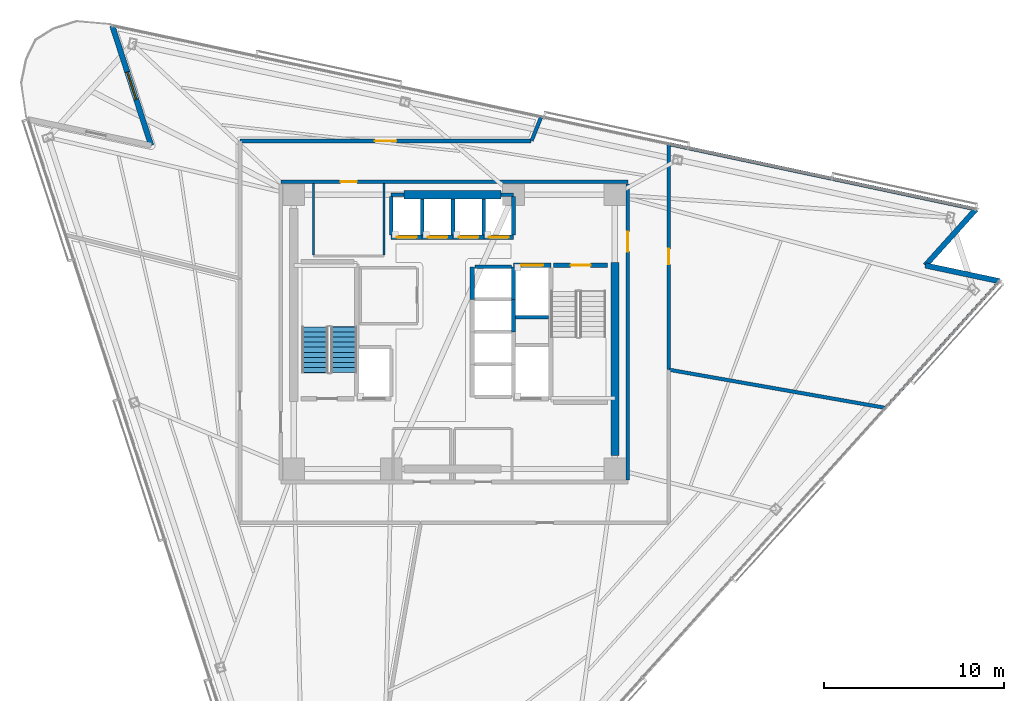
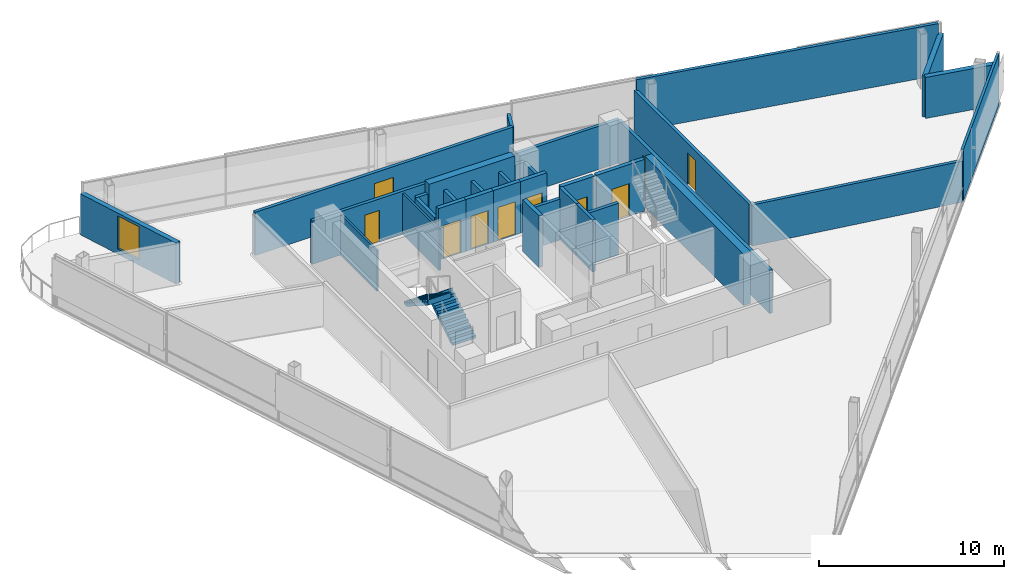
# One storey, part 11 of 16: 33 walls, 10 doors, 2 stair flights, 1 window, 11 openings, 1 element without a shape of its own.
"""IFC4 building model written with IfcOpenShell, lengths in metres."""

from ifc_helpers import new_model, si_unit, direction, frame, frame_2d, origin, place, context, subcontext, project, spatial, polyline, rectangle, outline, extrude, material, layer, layer_set, type_object, element, fill, aggregate, save


model = new_model("IFC4")

# Units and contexts
model_context = context("Model", 3, precision=1e-05, world=origin(), true_north=direction((0.0, 1.0)))
body_context = subcontext(model_context, "Body", "Model", "MODEL_VIEW")
ifc_project = project(units=[si_unit("LENGTHUNIT", "METRE"), si_unit("AREAUNIT", "SQUARE_METRE"), si_unit("VOLUMEUNIT", "CUBIC_METRE"), si_unit("PLANEANGLEUNIT", "RADIAN"), si_unit("MASSUNIT", "GRAM", prefix="KILO")], contexts=[model_context])

# Site, building, storey
site_placement = place(None, origin())
site = spatial("IfcSite", under=ifc_project, at=site_placement, CompositionType="ELEMENT")
building_placement = place(site_placement, origin())
building = spatial("IfcBuilding", under=site, at=building_placement, Name="Tharavind Bronze Gate", CompositionType="ELEMENT")
storey_placement = place(building_placement, frame((0.0, 0.0, 211.25)))
storey = spatial("IfcBuildingStorey", under=building, at=storey_placement, Name="L54", CompositionType="ELEMENT", Elevation=211.25)

# Wall, opening, window
ifc_material_1 = material(Name="Concrete C40/50", Category="concrete")
ifc_layer_1 = layer(ifc_material_1, 0.300048828125)
ifc_layer_set_1 = layer_set([ifc_layer_1], Name="Concrete C40/50")
wall_type_1 = type_object("IfcWallType", Name="EXTERIOR SPANDREL WALL 300", PredefinedType="STANDARD", material=ifc_layer_set_1)
wall_1_placement = place(storey_placement, frame((-18.959716796875, 16.967529296875, 0.0), z_axis=(0.0, 0.0, 1.0), x_axis=(0.309030708092, -0.951052060329, 0.0)))
wall_1 = element("IfcWall", 1, at=wall_1_placement, inside=storey, type_object=wall_type_1, Name="L54 notch cheek wall 1A", PredefinedType="STANDARD", context=body_context, shape_type="SweptSolid", body=[
    extrude(rectangle(XDim=6.979736328125, YDim=0.300048828125, at=frame_2d((3.48974609375, 0.0))), origin(), (0.0, 0.0, 1.0), 2.715087890625),
])
opening_1_placement = place(wall_1_placement, frame((2.68994140625, 0.0, 0.3349609375)))
opening_1 = element("IfcOpeningElement", 2, at=opening_1_placement, cuts=wall_1, Name="Opening W05", PredefinedType="OPENING", context=body_context, shape_type="SweptSolid", body=[
    extrude(rectangle(XDim=1.60009765625, YDim=2.199951171875, at=frame_2d((0.800048828125, 1.10009765625))), frame((0.0, 0.15990234375, 0.0), z_axis=(0.0, -1.0, 0.0), x_axis=(1.0, 0.0, 0.0)), (0.0, 0.0, 1.0), 0.320048828125),
])
ifc_material_2 = material(Name="Bronze Aluminium & Low-E Glass", Category="aluminium")
window_type = type_object("IfcWindowType", Name="OFFICE NOTCH BRONZE WINDOW 1600X2200", PartitioningType="DOUBLE_PANEL_VERTICAL", PredefinedType="WINDOW", material=ifc_material_2)
window_placement = place(opening_1_placement, origin())
window = element("IfcWindow", 3, at=window_placement, inside=storey, type_object=window_type, Name="L54 exterior window WL-L54-NCA1-01", OverallHeight=2.199951171875, OverallWidth=1.60009765625, PartitioningType="SINGLE_PANEL", PredefinedType="WINDOW", context=body_context, shape_type="SweptSolid", body=[
    extrude(rectangle(XDim=1.60009765625, YDim=2.199951171875, at=frame_2d((0.800048828125, 1.10009765625))), frame((0.0, 0.030029296875, 0.0), z_axis=(0.0, -1.0, 0.0), x_axis=(1.0, 0.0, 0.0)), (0.0, 0.0, 1.0), 0.06005859375),
])
fill(opening_1, window)

# Walls
for number, where, z_axis, x_axis, name in (
    (4, (30.199462890625, 2.810546875, 0.0), (0.0, 0.0, 1.0), (-0.978144033538, 0.207928472445, 0.0), "L54 notch cheek wall 3A"),
    (5, (26.102783203125, 3.681396484375, 0.0), (0.0, 0.0, 1.0), (0.669151507466, 0.743126005504, 0.0), "L54 notch cheek wall 3B"),
):
    element("IfcWall", number, at=place(storey_placement, frame(where, z_axis=z_axis, x_axis=x_axis)), inside=storey, type_object=wall_type_1, Name=name, PredefinedType="STANDARD", context=body_context, shape_type="SweptSolid", body=[
        extrude(rectangle(XDim=4.188232421875, YDim=0.300048828125, at=frame_2d((2.09423828125, 0.0))), origin(), (0.0, 0.0, 1.0), 2.715087890625),
    ])

# Wall, opening, door
ifc_material_3 = material(Name="Aerated Concrete Block", Category="concrete")
ifc_layer_2 = layer(ifc_material_3, 0.199951171875)
ifc_layer_set_2 = layer_set([ifc_layer_2], Name="Aerated Concrete Block")
wall_type_2 = type_object("IfcWallType", Name="FIRE RATED PARTITION 200", PredefinedType="PARTITIONING", material=ifc_layer_set_2)
wall_2_placement = place(storey_placement, frame((9.6201171875, 8.320068359375, 0.0), z_axis=(0.0, 0.0, 1.0), x_axis=(-1.0, 0.0, 0.0)))
wall_2 = element("IfcWall", 6, at=wall_2_placement, inside=storey, type_object=wall_type_2, Name="L54 north core corridor wall", PredefinedType="PARTITIONING", context=body_context, shape_type="SweptSolid", body=[
    extrude(rectangle(XDim=19.240234375, YDim=0.199951171875, at=frame_2d((9.6201171875, 0.0))), origin(), (0.0, 0.0, 1.0), 2.864990234375),
])
opening_2_placement = place(wall_2_placement, frame((15.02001953125, 0.0, 0.0)))
opening_2 = element("IfcOpeningElement", 7, at=opening_2_placement, cuts=wall_2, Name="Opening ID07", PredefinedType="OPENING", context=body_context, shape_type="SweptSolid", body=[
    extrude(rectangle(XDim=0.89990234375, YDim=2.10009765625, at=frame_2d((0.449951171875, 1.050048828125))), frame((0.0, 0.11009765625, 0.0), z_axis=(0.0, -1.0, 0.0), x_axis=(1.0, 0.0, 0.0)), (0.0, 0.0, 1.0), 0.219951171875),
])
ifc_material_4 = material(Name="Galvanised Fire Steel", Category="steel")
door_type_1 = type_object("IfcDoorType", Name="PLANT AND RISER FIRE DOOR 900X2100", OperationType="SINGLE_SWING_LEFT", PredefinedType="DOOR", material=ifc_material_4)
door_1_placement = place(opening_2_placement, frame((0.89990234375, 0.0, 0.0), z_axis=(0.0, 0.0, 1.0), x_axis=(-1.0, 0.0, 0.0)))
door_1 = element("IfcDoor", 8, at=door_1_placement, inside=storey, type_object=door_type_1, Name="L54 Electrical Switch Room fire door", OperationType="SINGLE_SWING_LEFT", OverallHeight=2.10009765625, OverallWidth=0.89990234375, PredefinedType="DOOR", context=body_context, shape_type="SweptSolid", body=[
    extrude(rectangle(XDim=0.89990234375, YDim=2.10009765625, at=frame_2d((0.449951171875, 1.050048828125))), frame((0.0, 0.02490234375, 0.0), z_axis=(0.0, -1.0, 0.0), x_axis=(1.0, 0.0, 0.0)), (0.0, 0.0, 1.0), 0.050048828125),
])
fill(opening_2, door_1)

wall_3_placement = place(storey_placement, frame((9.6201171875, -8.199951171875, 0.0), z_axis=(0.0, 0.0, 1.0), x_axis=(0.0, 1.0, 0.0)))
wall_3 = element("IfcWall", 9, at=wall_3_placement, inside=storey, type_object=wall_type_2, Name="L54 east core corridor wall", PredefinedType="PARTITIONING", context=body_context, shape_type="SweptSolid", body=[
    extrude(rectangle(XDim=16.39990234375, YDim=0.199951171875, at=frame_2d((8.199951171875, 0.0))), origin(), (0.0, 0.0, 1.0), 2.864990234375),
])
opening_3_placement = place(wall_3_placement, frame((12.64990234375, 0.0, 0.0)))
opening_3 = element("IfcOpeningElement", 10, at=opening_3_placement, cuts=wall_3, Name="Opening ID01", PredefinedType="OPENING", context=body_context, shape_type="SweptSolid", body=[
    extrude(rectangle(XDim=1.10009765625, YDim=2.14990234375, at=frame_2d((0.550048828125, 1.074951171875))), frame((0.0, 0.11009765625, 0.0), z_axis=(0.0, -1.0, 0.0), x_axis=(1.0, 0.0, 0.0)), (0.0, 0.0, 1.0), 0.219951171875),
])
ifc_material_5 = material(Name="Fire-Rated Steel", Category="steel")
door_type_2 = type_object("IfcDoorType", Name="STAIR CORE FIRE DOOR 1100X2150", OperationType="SINGLE_SWING_LEFT", PredefinedType="DOOR", material=ifc_material_5)
door_2_placement = place(opening_3_placement, frame((1.10009765625, 0.0, 0.0), z_axis=(0.0, 0.0, 1.0), x_axis=(-1.0, 0.0, 0.0)))
door_2 = element("IfcDoor", 11, at=door_2_placement, inside=storey, type_object=door_type_2, Name="L54 north east stair lobby fire door", OperationType="SINGLE_SWING_LEFT", OverallHeight=2.14990234375, OverallWidth=1.10009765625, PredefinedType="DOOR", context=body_context, shape_type="SweptSolid", body=[
    extrude(rectangle(XDim=1.10009765625, YDim=2.14990234375, at=frame_2d((0.550048828125, 1.074951171875))), frame((0.0, 0.02490234375, 0.0), z_axis=(0.0, -1.0, 0.0), x_axis=(1.0, 0.0, 0.0)), (0.0, 0.0, 1.0), 0.050048828125),
])
fill(opening_3, door_2)

# Walls
wall_4_placement = place(storey_placement, frame((11.90771484375, 10.406494140625, 0.0), z_axis=(0.0, 0.0, 1.0), x_axis=(0.978147593012, -0.207911727146, 0.0)))
element("IfcWall", 12, at=wall_4_placement, inside=storey, type_object=wall_type_2, Name="L54 Public Restrooms Block partition", PredefinedType="PARTITIONING", context=body_context, shape_type="SweptSolid", body=[
    extrude(rectangle(XDim=17.197998046875, YDim=0.199951171875, at=frame_2d((8.59912109375, 0.0))), origin(), (0.0, 0.0, 1.0), 3.419921875),
])
wall_5_placement = place(storey_placement, frame((23.864013671875, -4.2080078125, 0.0), z_axis=(0.0, 0.0, 1.0), x_axis=(-0.984805603915, 0.173660365361, 0.0)))
element("IfcWall", 13, at=wall_5_placement, inside=storey, type_object=wall_type_2, Name="L54 Public Restrooms Block partition", PredefinedType="PARTITIONING", context=body_context, shape_type="SweptSolid", body=[
    extrude(rectangle(XDim=12.14794921875, YDim=0.199951171875, at=frame_2d((6.073974609375, 0.0))), origin(), (0.0, 0.0, 1.0), 2.715087890625),
])

# Wall, opening, door
wall_6_placement = place(storey_placement, frame((11.8798828125, -2.07373046875, 0.0), z_axis=(0.0, 0.0, 1.0), x_axis=(0.0, 1.0, 0.0)))
wall_6 = element("IfcWall", 14, at=wall_6_placement, inside=storey, type_object=wall_type_2, Name="L54 Public Restrooms Block partition", PredefinedType="PARTITIONING", context=body_context, shape_type="SweptSolid", body=[
    extrude(rectangle(XDim=12.486083984375, YDim=0.199951171875, at=frame_2d((6.2431640625, 0.0))), origin(), (0.0, 0.0, 1.0), 2.715087890625),
])
opening_4_placement = place(wall_6_placement, frame((5.818115234375, 0.0, 0.0)))
opening_4 = element("IfcOpeningElement", 15, at=opening_4_placement, cuts=wall_6, Name="Opening ID06", PredefinedType="OPENING", context=body_context, shape_type="SweptSolid", body=[
    extrude(rectangle(XDim=0.85009765625, YDim=2.10009765625, at=frame_2d((0.425048828125, 1.050048828125))), frame((0.0, 0.11009765625, 0.0), z_axis=(0.0, -1.0, 0.0), x_axis=(1.0, 0.0, 0.0)), (0.0, 0.0, 1.0), 0.219951171875),
])
ifc_material_6 = material(Name="Moisture-Resistant Timber", Category="wood")
door_type_3 = type_object("IfcDoorType", Name="BATHROOM PRIVACY DOOR 850X2100", OperationType="SINGLE_SWING_RIGHT", PredefinedType="DOOR", material=ifc_material_6)
door_3_placement = place(opening_4_placement, origin())
door_3 = element("IfcDoor", 16, at=door_3_placement, inside=storey, type_object=door_type_3, Name="L54 Public Restrooms Block door", OperationType="SINGLE_SWING_RIGHT", OverallHeight=2.10009765625, OverallWidth=0.85009765625, PredefinedType="DOOR", context=body_context, shape_type="SweptSolid", body=[
    extrude(rectangle(XDim=0.85009765625, YDim=2.10009765625, at=frame_2d((0.425048828125, 1.050048828125))), frame((0.0, 0.02490234375, 0.0), z_axis=(0.0, -1.0, 0.0), x_axis=(1.0, 0.0, 0.0)), (0.0, 0.0, 1.0), 0.050048828125),
])
fill(opening_4, door_3)

# Wall
wall_7_placement = place(storey_placement, frame((4.802490234375, 11.88671875, 0.0), z_axis=(0.0, 0.0, 1.0), x_axis=(-0.374532628214, -0.927213735016, 0.0)))
element("IfcWall", 17, at=wall_7_placement, inside=storey, type_object=wall_type_2, Name="L54 Corporate Town-Hall Forum partition", PredefinedType="PARTITIONING", context=body_context, shape_type="SweptSolid", body=[
    extrude(rectangle(XDim=1.392333984375, YDim=0.199951171875, at=frame_2d((0.6962890625, 0.0))), origin(), (0.0, 0.0, 1.0), 2.715087890625),
])

# Wall, opening, door
wall_8_placement = place(storey_placement, frame((4.2578125, 10.580078125, 0.0), z_axis=(0.0, 0.0, 1.0), x_axis=(-1.0, 0.0, 0.0)))
wall_8 = element("IfcWall", 18, at=wall_8_placement, inside=storey, type_object=wall_type_2, Name="L54 Corporate Town-Hall Forum partition", PredefinedType="PARTITIONING", context=body_context, shape_type="SweptSolid", body=[
    extrude(rectangle(XDim=16.13720703125, YDim=0.199951171875, at=frame_2d((8.068603515625, 0.0))), origin(), (0.0, 0.0, 1.0), 2.864990234375),
])
opening_5_placement = place(wall_8_placement, frame((7.468994140625, 0.0, 0.0)))
opening_5 = element("IfcOpeningElement", 19, at=opening_5_placement, cuts=wall_8, Name="Opening ID05", PredefinedType="OPENING", context=body_context, shape_type="SweptSolid", body=[
    extrude(rectangle(XDim=1.199951171875, YDim=2.14990234375, at=frame_2d((0.60009765625, 1.074951171875))), frame((0.0, 0.11009765625, 0.0), z_axis=(0.0, -1.0, 0.0), x_axis=(1.0, 0.0, 0.0)), (0.0, 0.0, 1.0), 0.219951171875),
])
ifc_material_7 = material(Name="Acoustic Laminated Glass", Category="glass")
door_type_4 = type_object("IfcDoorType", Name="MEETING ROOM GLAZED DOOR 1200X2150", OperationType="SINGLE_SWING_LEFT", PredefinedType="DOOR", material=ifc_material_7)
door_4_placement = place(opening_5_placement, origin())
door_4 = element("IfcDoor", 20, at=door_4_placement, inside=storey, type_object=door_type_4, Name="L54 Corporate Town-Hall Forum door", OperationType="SINGLE_SWING_LEFT", OverallHeight=2.14990234375, OverallWidth=1.199951171875, PredefinedType="DOOR", context=body_context, shape_type="SweptSolid", body=[
    extrude(rectangle(XDim=1.199951171875, YDim=2.14990234375, at=frame_2d((0.60009765625, 1.074951171875))), frame((0.0, 0.02490234375, 0.0), z_axis=(0.0, -1.0, 0.0), x_axis=(1.0, 0.0, 0.0)), (0.0, 0.0, 1.0), 0.050048828125),
])
fill(opening_5, door_4)

# Walls
ifc_material_8 = material(Name="Metal Stud Gypsum Partition", Category="gypsum")
ifc_layer_3 = layer(ifc_material_8, 0.1201171875)
ifc_layer_set_3 = layer_set([ifc_layer_3], Name="Metal Stud Gypsum Partition")
wall_type_3 = type_object("IfcWallType", Name="INTERIOR PARTITION WALL 120", PredefinedType="PARTITIONING", material=ifc_layer_set_3)
for number, where, z_axis, x_axis, name in (
    (21, (-3.89990234375, 4.264892578125, 0.0), (0.0, 0.0, 1.0), (0.0, 1.0, 0.0), "L54 Electrical Switch Room partition 2"),
    (22, (-7.800048828125, 8.215087890625, 0.0), (0.0, 0.0, 1.0), (0.0, -1.0, 0.0), "L54 Electrical Switch Room partition 4"),
):
    element("IfcWall", number, at=place(storey_placement, frame(where, z_axis=z_axis, x_axis=x_axis)), inside=storey, type_object=wall_type_3, Name=name, PredefinedType="PARTITIONING", context=body_context, shape_type="SweptSolid", body=[
        extrude(rectangle(XDim=3.9501953125, YDim=0.1201171875, at=frame_2d((1.97509765625, 0.0))), origin(), (0.0, 0.0, 1.0), 2.715087890625),
    ])
ifc_material_9 = material(Name="Twin Stud Acoustic Gypsum", Category="gypsum")
ifc_layer_4 = layer(ifc_material_9, 0.14990234375)
ifc_layer_set_4 = layer_set([ifc_layer_4], Name="Twin Stud Acoustic Gypsum")
wall_type_4 = type_object("IfcWallType", Name="INTERIOR PARTITION WALL 150", PredefinedType="PARTITIONING", material=ifc_layer_set_4)
wall_9_placement = place(storey_placement, frame((30.07958984375, 2.677490234375, 0.0), z_axis=(0.0, 0.0, 1.0), x_axis=(-0.669139610983, -0.743136717579, 0.0)))
element("IfcWall", 23, at=wall_9_placement, inside=storey, type_object=wall_type_4, Name="L54 Public Restrooms Block partition", PredefinedType="PARTITIONING", context=body_context, shape_type="SweptSolid", body=[
    extrude(rectangle(XDim=9.254638671875, YDim=0.14990234375, at=frame_2d((4.62744140625, 0.0))), origin(), (0.0, 0.0, 1.0), 3.419921875),
])

# Wall, opening, door
ifc_material_10 = material(Name="Concrete C50/60", Category="concrete")
ifc_layer_5 = layer(ifc_material_10, 0.25)
ifc_layer_set_5 = layer_set([ifc_layer_5], Name="Concrete C50/60")
wall_type_5 = type_object("IfcWallType", Name="RC CORE SHEAR WALL 250", PredefinedType="SHEAR", material=ifc_layer_set_5)
wall_10_placement = place(storey_placement, frame((5.5, 3.699951171875, 0.0), z_axis=(0.0, 0.0, 1.0), x_axis=(1.0, 0.0, 0.0)))
wall_10 = element("IfcWall", 24, at=wall_10_placement, inside=storey, type_object=wall_type_5, Name="L54 ST2 shaft north wall", PredefinedType="SHEAR", context=body_context, shape_type="SweptSolid", body=[
    extrude(rectangle(XDim=3.0, YDim=0.25, at=frame_2d((1.5, 0.0))), origin(), (0.0, 0.0, 1.0), 3.419921875),
])
opening_6_placement = place(wall_10_placement, frame((0.949951171875, 0.0, 0.0)))
opening_6 = element("IfcOpeningElement", 25, at=opening_6_placement, cuts=wall_10, Name="Opening ID01", PredefinedType="OPENING", context=body_context, shape_type="SweptSolid", body=[
    extrude(rectangle(XDim=1.10009765625, YDim=2.14990234375, at=frame_2d((0.550048828125, 1.074951171875))), frame((0.0, 0.135, 0.0), z_axis=(0.0, -1.0, 0.0), x_axis=(1.0, 0.0, 0.0)), (0.0, 0.0, 1.0), 0.27),
])
door_5_placement = place(opening_6_placement, frame((1.10009765625, 0.0, 0.0), z_axis=(0.0, 0.0, 1.0), x_axis=(-1.0, 0.0, 0.0)))
door_5 = element("IfcDoor", 26, at=door_5_placement, inside=storey, type_object=door_type_2, Name="L54 exit stair ST2 fire door", OperationType="SINGLE_SWING_LEFT", OverallHeight=2.14990234375, OverallWidth=1.10009765625, PredefinedType="DOOR", context=body_context, shape_type="SweptSolid", body=[
    extrude(rectangle(XDim=1.10009765625, YDim=2.14990234375, at=frame_2d((0.550048828125, 1.074951171875))), frame((0.0, 0.02490234375, 0.0), z_axis=(0.0, -1.0, 0.0), x_axis=(1.0, 0.0, 0.0)), (0.0, 0.0, 1.0), 0.050048828125),
])
fill(opening_6, door_5)

wall_11_placement = place(storey_placement, frame((-3.5, 5.25, 0.0), z_axis=(0.0, 0.0, 1.0), x_axis=(1.0, 0.0, 0.0)))
wall_11 = element("IfcWall", 27, at=wall_11_placement, inside=storey, type_object=wall_type_5, Name="L54 lift PL5 shaft front wall", PredefinedType="SHEAR", context=body_context, shape_type="SweptSolid", body=[
    extrude(rectangle(XDim=1.71240234375, YDim=0.25, at=frame_2d((0.856201171875, 0.0))), origin(), (0.0, 0.0, 1.0), 3.419921875),
])
opening_7_placement = place(wall_11_placement, frame((0.305908203125, 0.0, 0.0)))
opening_7 = element("IfcOpeningElement", 28, at=opening_7_placement, cuts=wall_11, Name="Opening LD01", PredefinedType="OPENING", context=body_context, shape_type="SweptSolid", body=[
    extrude(rectangle(XDim=1.10009765625, YDim=2.199951171875, at=frame_2d((0.550048828125, 1.10009765625))), frame((0.0, 0.135, 0.0), z_axis=(0.0, -1.0, 0.0), x_axis=(1.0, 0.0, 0.0)), (0.0, 0.0, 1.0), 0.27),
])
ifc_material_11 = material(Name="Brushed Bronze Stainless Steel", Category="steel")
door_type_5 = type_object("IfcDoorType", Name="LIFT LANDING SLIDING DOOR 1100X2200", OperationType="SLIDING_TO_LEFT", PredefinedType="DOOR", material=ifc_material_11)
door_6_placement = place(opening_7_placement, origin())
door_6 = element("IfcDoor", 29, at=door_6_placement, inside=storey, type_object=door_type_5, Name="L54 lift PL5 sliding landing door", OperationType="SLIDING_TO_LEFT", OverallHeight=2.199951171875, OverallWidth=1.10009765625, PredefinedType="DOOR", context=body_context, shape_type="SweptSolid", body=[
    extrude(rectangle(XDim=1.10009765625, YDim=2.199951171875, at=frame_2d((0.550048828125, 1.10009765625))), frame((0.0, 0.02490234375, 0.0), z_axis=(0.0, -1.0, 0.0), x_axis=(1.0, 0.0, 0.0)), (0.0, 0.0, 1.0), 0.050048828125),
])
fill(opening_7, door_6)

wall_12_placement = place(storey_placement, frame((-1.78759765625, 5.25, 0.0), z_axis=(0.0, 0.0, 1.0), x_axis=(1.0, 0.0, 0.0)))
wall_12 = element("IfcWall", 30, at=wall_12_placement, inside=storey, type_object=wall_type_5, Name="L54 lift PL6 shaft front wall", PredefinedType="SHEAR", context=body_context, shape_type="SweptSolid", body=[
    extrude(rectangle(XDim=1.712646484375, YDim=0.25, at=frame_2d((0.8564453125, 0.0))), origin(), (0.0, 0.0, 1.0), 3.419921875),
])
opening_8_placement = place(wall_12_placement, frame((0.305908203125, 0.0, 0.0)))
opening_8 = element("IfcOpeningElement", 31, at=opening_8_placement, cuts=wall_12, Name="Opening LD01", PredefinedType="OPENING", context=body_context, shape_type="SweptSolid", body=[
    extrude(rectangle(XDim=1.10009765625, YDim=2.199951171875, at=frame_2d((0.550048828125, 1.10009765625))), frame((0.0, 0.135, 0.0), z_axis=(0.0, -1.0, 0.0), x_axis=(1.0, 0.0, 0.0)), (0.0, 0.0, 1.0), 0.27),
])
door_7_placement = place(opening_8_placement, origin())
door_7 = element("IfcDoor", 32, at=door_7_placement, inside=storey, type_object=door_type_5, Name="L54 lift PL6 sliding landing door", OperationType="SLIDING_TO_LEFT", OverallHeight=2.199951171875, OverallWidth=1.10009765625, PredefinedType="DOOR", context=body_context, shape_type="SweptSolid", body=[
    extrude(rectangle(XDim=1.10009765625, YDim=2.199951171875, at=frame_2d((0.550048828125, 1.10009765625))), frame((0.0, 0.02490234375, 0.0), z_axis=(0.0, -1.0, 0.0), x_axis=(1.0, 0.0, 0.0)), (0.0, 0.0, 1.0), 0.050048828125),
])
fill(opening_8, door_7)

wall_13_placement = place(storey_placement, frame((-0.074951171875, 5.25, 0.0), z_axis=(0.0, 0.0, 1.0), x_axis=(1.0, 0.0, 0.0)))
wall_13 = element("IfcWall", 33, at=wall_13_placement, inside=storey, type_object=wall_type_5, Name="L54 lift PL7 shaft front wall", PredefinedType="SHEAR", context=body_context, shape_type="SweptSolid", body=[
    extrude(rectangle(XDim=1.71240234375, YDim=0.25, at=frame_2d((0.856201171875, 0.0))), origin(), (0.0, 0.0, 1.0), 3.419921875),
])
opening_9_placement = place(wall_13_placement, frame((0.305908203125, 0.0, 0.0)))
opening_9 = element("IfcOpeningElement", 34, at=opening_9_placement, cuts=wall_13, Name="Opening LD01", PredefinedType="OPENING", context=body_context, shape_type="SweptSolid", body=[
    extrude(rectangle(XDim=1.10009765625, YDim=2.199951171875, at=frame_2d((0.550048828125, 1.10009765625))), frame((0.0, 0.135, 0.0), z_axis=(0.0, -1.0, 0.0), x_axis=(1.0, 0.0, 0.0)), (0.0, 0.0, 1.0), 0.27),
])
door_8_placement = place(opening_9_placement, origin())
door_8 = element("IfcDoor", 35, at=door_8_placement, inside=storey, type_object=door_type_5, Name="L54 lift PL7 sliding landing door", OperationType="SLIDING_TO_LEFT", OverallHeight=2.199951171875, OverallWidth=1.10009765625, PredefinedType="DOOR", context=body_context, shape_type="SweptSolid", body=[
    extrude(rectangle(XDim=1.10009765625, YDim=2.199951171875, at=frame_2d((0.550048828125, 1.10009765625))), frame((0.0, 0.02490234375, 0.0), z_axis=(0.0, -1.0, 0.0), x_axis=(1.0, 0.0, 0.0)), (0.0, 0.0, 1.0), 0.050048828125),
])
fill(opening_9, door_8)

wall_14_placement = place(storey_placement, frame((1.637451171875, 5.25, 0.0), z_axis=(0.0, 0.0, 1.0), x_axis=(1.0, 0.0, 0.0)))
wall_14 = element("IfcWall", 36, at=wall_14_placement, inside=storey, type_object=wall_type_5, Name="L54 lift PL8 shaft front wall", PredefinedType="SHEAR", context=body_context, shape_type="SweptSolid", body=[
    extrude(rectangle(XDim=1.642578125, YDim=0.25, at=frame_2d((0.8212890625, 0.0))), origin(), (0.0, 0.0, 1.0), 3.419921875),
])
opening_10_placement = place(wall_14_placement, frame((0.27099609375, 0.0, 0.0)))
opening_10 = element("IfcOpeningElement", 37, at=opening_10_placement, cuts=wall_14, Name="Opening LD01", PredefinedType="OPENING", context=body_context, shape_type="SweptSolid", body=[
    extrude(rectangle(XDim=1.10009765625, YDim=2.199951171875, at=frame_2d((0.550048828125, 1.10009765625))), frame((0.0, 0.135, 0.0), z_axis=(0.0, -1.0, 0.0), x_axis=(1.0, 0.0, 0.0)), (0.0, 0.0, 1.0), 0.27),
])
door_9_placement = place(opening_10_placement, origin())
door_9 = element("IfcDoor", 38, at=door_9_placement, inside=storey, type_object=door_type_5, Name="L54 lift PL8 sliding landing door", OperationType="SLIDING_TO_LEFT", OverallHeight=2.199951171875, OverallWidth=1.10009765625, PredefinedType="DOOR", context=body_context, shape_type="SweptSolid", body=[
    extrude(rectangle(XDim=1.10009765625, YDim=2.199951171875, at=frame_2d((0.550048828125, 1.10009765625))), frame((0.0, 0.02490234375, 0.0), z_axis=(0.0, -1.0, 0.0), x_axis=(1.0, 0.0, 0.0)), (0.0, 0.0, 1.0), 0.050048828125),
])
fill(opening_10, door_9)

# Wall
wall_15_placement = place(storey_placement, frame((1.0, 1.800048828125, 0.0), z_axis=(0.0, 0.0, 1.0), x_axis=(0.0, 1.0, 0.0)))
element("IfcWall", 39, at=wall_15_placement, inside=storey, type_object=wall_type_5, Name="L54 lift PL12 shaft front wall", PredefinedType="SHEAR", context=body_context, shape_type="SweptSolid", body=[
    extrude(rectangle(XDim=1.800048828125, YDim=0.25, at=frame_2d((0.89990234375, 0.0))), origin(), (0.0, 0.0, 1.0), 3.419921875),
])

# Wall, opening, door
wall_16_placement = place(storey_placement, frame((3.280029296875, 3.699951171875, 0.0), z_axis=(0.0, 0.0, 1.0), x_axis=(1.0, 0.0, 0.0)))
wall_16 = element("IfcWall", 40, at=wall_16_placement, inside=storey, type_object=wall_type_5, Name="L54 lift FFL2 shaft front wall", PredefinedType="SHEAR", context=body_context, shape_type="SweptSolid", body=[
    extrude(rectangle(XDim=2.070068359375, YDim=0.25, at=frame_2d((1.03515625, 0.0))), origin(), (0.0, 0.0, 1.0), 3.419921875),
])
opening_11_placement = place(wall_16_placement, frame((0.43505859375, 0.0, 0.0)))
opening_11 = element("IfcOpeningElement", 41, at=opening_11_placement, cuts=wall_16, Name="Opening LD02", PredefinedType="OPENING", context=body_context, shape_type="SweptSolid", body=[
    extrude(rectangle(XDim=1.199951171875, YDim=2.199951171875, at=frame_2d((0.60009765625, 1.10009765625))), frame((0.0, 0.135, 0.0), z_axis=(0.0, -1.0, 0.0), x_axis=(1.0, 0.0, 0.0)), (0.0, 0.0, 1.0), 0.27),
])
ifc_material_12 = material(Name="Brushed Stainless Steel", Category="steel")
door_type_6 = type_object("IfcDoorType", Name="FIREFIGHTING LIFT LANDING DOOR 1200X2200", OperationType="SLIDING_TO_RIGHT", PredefinedType="DOOR", material=ifc_material_12)
door_10_placement = place(opening_11_placement, origin())
door_10 = element("IfcDoor", 42, at=door_10_placement, inside=storey, type_object=door_type_6, Name="L54 lift FFL2 sliding landing door", OperationType="SLIDING_TO_RIGHT", OverallHeight=2.199951171875, OverallWidth=1.199951171875, PredefinedType="DOOR", context=body_context, shape_type="SweptSolid", body=[
    extrude(rectangle(XDim=1.199951171875, YDim=2.199951171875, at=frame_2d((0.60009765625, 1.10009765625))), frame((0.0, 0.02490234375, 0.0), z_axis=(0.0, -1.0, 0.0), x_axis=(1.0, 0.0, 0.0)), (0.0, 0.0, 1.0), 0.050048828125),
])
fill(opening_11, door_10)

# Walls
ifc_material_13 = material(Name="Concrete C60/75", Category="concrete")
ifc_layer_6 = layer(ifc_material_13, 0.449951171875)
ifc_layer_set_6 = layer_set([ifc_layer_6], Name="Concrete C60/75")
wall_type_6 = type_object("IfcWallType", Name="RC CORE SHEAR WALL 450", PredefinedType="SHEAR", material=ifc_layer_set_6)
wall_17_placement = place(storey_placement, frame((-2.800048828125, 7.60009765625, 0.0), z_axis=(0.0, 0.0, 1.0), x_axis=(1.0, 0.0, 0.0)))
element("IfcWall", 43, at=wall_17_placement, inside=storey, type_object=wall_type_6, Name="L54 north core shear wall", PredefinedType="SHEAR", context=body_context, shape_type="SweptSolid", body=[
    extrude(rectangle(XDim=5.380126953125, YDim=0.449951171875, at=frame_2d((2.68994140625, 0.0))), origin(), (0.0, 0.0, 1.0), 3.419921875),
])
wall_18_placement = place(storey_placement, frame((8.89990234375, -6.85009765625, 0.0), z_axis=(0.0, 0.0, 1.0), x_axis=(0.0, 1.0, 0.0)))
element("IfcWall", 44, at=wall_18_placement, inside=storey, type_object=wall_type_6, Name="L54 east core shear wall", PredefinedType="SHEAR", context=body_context, shape_type="SweptSolid", body=[
    extrude(rectangle(XDim=10.7001953125, YDim=0.449951171875, at=frame_2d((5.35009765625, 0.0))), origin(), (0.0, 0.0, 1.0), 3.419921875),
])
ifc_layer_7 = layer(ifc_material_1, 0.199951171875)
ifc_layer_set_7 = layer_set([ifc_layer_7], Name="Concrete C40/50")
wall_type_7 = type_object("IfcWallType", Name="SHAFT ENCLOSURE WALL 200", PredefinedType="PARTITIONING", material=ifc_layer_set_7)
wall_19_placement = place(storey_placement, frame((-3.5, 7.60009765625, 0.0), z_axis=(0.0, 0.0, 1.0), x_axis=(1.0, 0.0, 0.0)))
element("IfcWall", 45, at=wall_19_placement, inside=storey, type_object=wall_type_7, Name="L54 lift PL5 shaft N enclosure wall", PredefinedType="PARTITIONING", context=body_context, shape_type="SweptSolid", body=[
    extrude(rectangle(XDim=0.699951171875, YDim=0.199951171875, at=frame_2d((0.35009765625, 0.0))), origin(), (0.0, 0.0, 1.0), 2.715087890625),
])
wall_20_placement = place(storey_placement, frame((-3.5, 5.3798828125, 0.0), z_axis=(0.0, 0.0, 1.0), x_axis=(0.0, 1.0, 0.0)))
element("IfcWall", 46, at=wall_20_placement, inside=storey, type_object=wall_type_7, Name="L54 lift PL5 shaft W enclosure wall", PredefinedType="PARTITIONING", context=body_context, shape_type="SweptSolid", body=[
    extrude(rectangle(XDim=2.115234375, YDim=0.199951171875, at=frame_2d((1.0576171875, 0.0))), origin(), (0.0, 0.0, 1.0), 2.715087890625),
])
for number, where, z_axis, x_axis, name in (
    (47, (-1.78759765625, 5.3798828125, 0.0), (0.0, 0.0, 1.0), (0.0, 1.0, 0.0), "L54 lift PL5 shaft E enclosure wall"),
    (48, (-0.074951171875, 5.3798828125, 0.0), (0.0, 0.0, 1.0), (0.0, 1.0, 0.0), "L54 lift PL6 shaft E enclosure wall"),
    (49, (1.637451171875, 5.3798828125, 0.0), (0.0, 0.0, 1.0), (0.0, 1.0, 0.0), "L54 lift PL7 shaft E enclosure wall"),
):
    element("IfcWall", number, at=place(storey_placement, frame(where, z_axis=z_axis, x_axis=x_axis)), inside=storey, type_object=wall_type_7, Name=name, PredefinedType="PARTITIONING", context=body_context, shape_type="SweptSolid", body=[
        extrude(rectangle(XDim=1.990234375, YDim=0.199951171875, at=frame_2d((0.9951171875, 0.0))), origin(), (0.0, 0.0, 1.0), 2.715087890625),
    ])
wall_21_placement = place(storey_placement, frame((2.580078125, 7.60009765625, 0.0), z_axis=(0.0, 0.0, 1.0), x_axis=(1.0, 0.0, 0.0)))
element("IfcWall", 50, at=wall_21_placement, inside=storey, type_object=wall_type_7, Name="L54 lift PL8 shaft N enclosure wall", PredefinedType="PARTITIONING", context=body_context, shape_type="SweptSolid", body=[
    extrude(rectangle(XDim=0.699951171875, YDim=0.199951171875, at=frame_2d((0.35009765625, 0.0))), origin(), (0.0, 0.0, 1.0), 2.715087890625),
])
wall_22_placement = place(storey_placement, frame((3.280029296875, 5.3798828125, 0.0), z_axis=(0.0, 0.0, 1.0), x_axis=(0.0, 1.0, 0.0)))
element("IfcWall", 51, at=wall_22_placement, inside=storey, type_object=wall_type_7, Name="L54 lift PL8 shaft E enclosure wall", PredefinedType="PARTITIONING", context=body_context, shape_type="SweptSolid", body=[
    extrude(rectangle(XDim=2.115234375, YDim=0.199951171875, at=frame_2d((1.0576171875, 0.0))), origin(), (0.0, 0.0, 1.0), 2.715087890625),
])
for number, where, z_axis, x_axis, name in (
    (52, (3.280029296875, 0.0, 0.0), (0.0, 0.0, 1.0), (0.0, 1.0, 0.0), "L54 lift PL11 shaft E enclosure wall"),
    (53, (3.280029296875, 1.800048828125, 0.0), (0.0, 0.0, 1.0), (0.0, 1.0, 0.0), "L54 lift PL12 shaft E enclosure wall"),
):
    element("IfcWall", number, at=place(storey_placement, frame(where, z_axis=z_axis, x_axis=x_axis)), inside=storey, type_object=wall_type_7, Name=name, PredefinedType="PARTITIONING", context=body_context, shape_type="SweptSolid", body=[
        extrude(rectangle(XDim=1.800048828125, YDim=0.199951171875, at=frame_2d((0.89990234375, 0.0))), origin(), (0.0, 0.0, 1.0), 3.419921875),
    ])
wall_23_placement = place(storey_placement, frame((1.1298828125, 3.60009765625, 0.0), z_axis=(0.0, 0.0, 1.0), x_axis=(1.0, 0.0, 0.0)))
element("IfcWall", 54, at=wall_23_placement, inside=storey, type_object=wall_type_7, Name="L54 lift PL12 shaft N enclosure wall", PredefinedType="PARTITIONING", context=body_context, shape_type="SweptSolid", body=[
    extrude(rectangle(XDim=2.045166015625, YDim=0.199951171875, at=frame_2d((1.0224609375, 0.0))), origin(), (0.0, 0.0, 1.0), 2.715087890625),
])
wall_24_placement = place(storey_placement, frame((3.385009765625, 0.800048828125, 0.0), z_axis=(0.0, 0.0, 1.0), x_axis=(1.0, 0.0, 0.0)))
element("IfcWall", 55, at=wall_24_placement, inside=storey, type_object=wall_type_7, Name="L54 lift FFL2 shaft S enclosure wall", PredefinedType="PARTITIONING", context=body_context, shape_type="SweptSolid", body=[
    extrude(rectangle(XDim=1.8349609375, YDim=0.199951171875, at=frame_2d((0.91748046875, 0.0))), origin(), (0.0, 0.0, 1.0), 3.419921875),
])

# Stair, stair flights
stair_type = type_object("IfcStairType", Name="CORE HALF TURN STAIR 1450", PredefinedType="HALF_TURN_STAIR", material=ifc_material_1)
stair_placement = place(storey_placement, origin())
stair = element("IfcStair", 56, at=stair_placement, inside=storey, type_object=stair_type, Name="L54 Protected Exit Stair ST1", PredefinedType="HALF_TURN_STAIR")
stair_flight_type = type_object("IfcStairFlightType", Name="CORE STAIR FLIGHT 1450", PredefinedType="STRAIGHT", material=ifc_material_1)
stair_flight_1_placement = place(storey_placement, frame((-6.125, -2.25, 0.0), z_axis=(0.0, 0.0, 1.0), x_axis=(0.0, 1.0, 0.0)))
stair_flight_1 = element("IfcStairFlight", 57, at=stair_flight_1_placement, type_object=stair_flight_type, Name="ST1 flight 1", NumberOfRisers=10, NumberOfTreads=9, PredefinedType="STRAIGHT", RiserHeight=0.18, TreadLength=0.28, context=body_context, shape_type="SweptSolid", body=[
    extrude(outline(polyline([(0.0, 0.0), (0.0, 0.179931640625), (0.280029296875, 0.179931640625), (0.280029296875, 0.360107421875), (0.56005859375, 0.360107421875), (0.56005859375, 0.5400390625), (0.840087890625, 0.5400390625), (0.840087890625, 0.719970703125), (1.1201171875, 0.719970703125), (1.1201171875, 0.89990234375), (1.39990234375, 0.89990234375), (1.39990234375, 1.080078125), (1.679931640625, 1.080078125), (1.679931640625, 1.260009765625), (1.9599609375, 1.260009765625), (1.9599609375, 1.43994140625), (2.239990234375, 1.43994140625), (2.239990234375, 1.6201171875), (2.52001953125, 1.6201171875), (2.52001953125, 1.800048828125), (2.555908203125, 1.800048828125), (2.555908203125, 1.44189453125), (0.277099609375, 0.0), (0.0, 0.0)])), frame((0.0, 0.72509765625, 0.0), z_axis=(0.0, -1.0, 0.0), x_axis=(1.0, 0.0, 0.0)), (0.0, 0.0, 1.0), 1.449951171875),
])
stair_flight_2_placement = place(storey_placement, frame((-7.72509765625, 0.27001953125, 1.800048828125), z_axis=(0.0, 0.0, 1.0), x_axis=(0.0, -1.0, 0.0)))
stair_flight_2 = element("IfcStairFlight", 58, at=stair_flight_2_placement, type_object=stair_flight_type, Name="ST1 flight 2", NumberOfRisers=10, NumberOfTreads=9, PredefinedType="STRAIGHT", RiserHeight=0.18, TreadLength=0.28, context=body_context, shape_type="SweptSolid", body=[
    extrude(outline(polyline([(0.0, 0.0), (0.0, 0.179931640625), (0.280029296875, 0.179931640625), (0.280029296875, 0.360107421875), (0.56005859375, 0.360107421875), (0.56005859375, 0.5400390625), (0.840087890625, 0.5400390625), (0.840087890625, 0.719970703125), (1.1201171875, 0.719970703125), (1.1201171875, 0.89990234375), (1.39990234375, 0.89990234375), (1.39990234375, 1.080078125), (1.679931640625, 1.080078125), (1.679931640625, 1.260009765625), (1.9599609375, 1.260009765625), (1.9599609375, 1.43994140625), (2.239990234375, 1.43994140625), (2.239990234375, 1.6201171875), (2.52001953125, 1.6201171875), (2.52001953125, 1.800048828125), (2.555908203125, 1.800048828125), (2.555908203125, 1.44189453125), (0.277099609375, 0.0), (0.0, 0.0)])), frame((0.0, 0.72509765625, 0.0), z_axis=(0.0, -1.0, 0.0), x_axis=(1.0, 0.0, 0.0)), (0.0, 0.0, 1.0), 1.449951171875),
])
aggregate(stair, [stair_flight_1, stair_flight_2])

save(model, "model.ifc")
